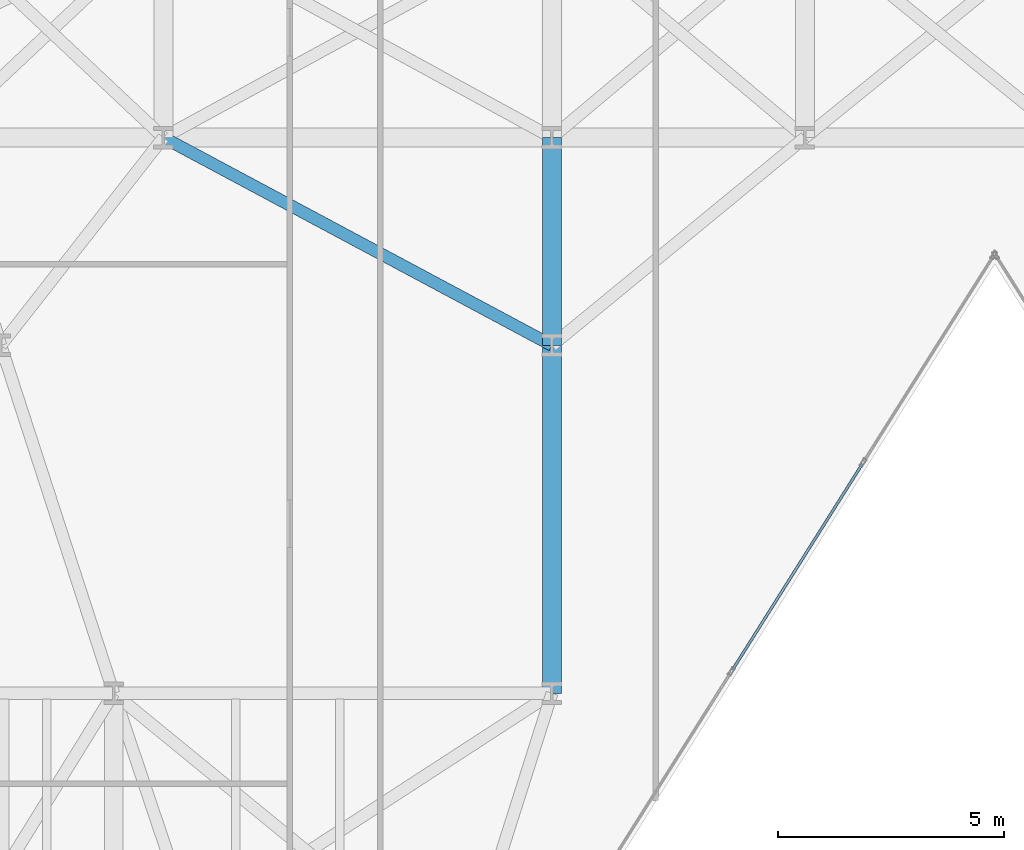
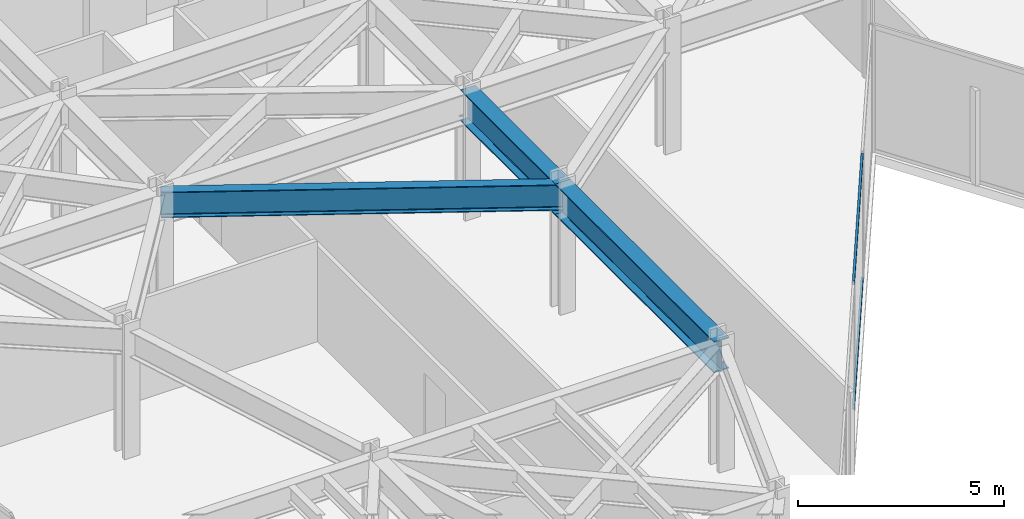
# One storey, part 9 of 25: 3 beams, 2 members, 1 element without a shape of its own.
"""IFC4 building model written with IfcOpenShell, lengths in metres."""

from ifc_helpers import new_model, si_unit, direction, frame, origin, origin_2d, place, context, subcontext, project, spatial, hollow_rectangle, i_section, extrude, material, layer, layer_set, material_profile, profile_set, type_object, element, aggregate, save


model = new_model("IFC4")

# Units and contexts
model_context = context("Model", 3, precision=1e-05, world=origin(), true_north=direction((0.0, 1.0)))
body_context = subcontext(model_context, "Body", "Model", "MODEL_VIEW")
ifc_project = project(units=[si_unit("LENGTHUNIT", "METRE"), si_unit("AREAUNIT", "SQUARE_METRE"), si_unit("VOLUMEUNIT", "CUBIC_METRE"), si_unit("PLANEANGLEUNIT", "RADIAN"), si_unit("MASSUNIT", "GRAM", prefix="KILO")], contexts=[model_context])

# Site, building, storey
site_placement = place(None, origin())
site = spatial("IfcSite", under=ifc_project, at=site_placement, CompositionType="ELEMENT")
building_placement = place(site_placement, origin())
building = spatial("IfcBuilding", under=site, at=building_placement, Name="Kravanh Interchange Tower", CompositionType="ELEMENT")
storey_placement = place(building_placement, frame((0.0, 0.0, 73.5)))
storey = spatial("IfcBuildingStorey", under=building, at=storey_placement, Name="L17", CompositionType="ELEMENT", Elevation=73.5)

# Curtain wall, members
ifc_material_1 = material(Name="Anodised Bronze Aluminium", Category="aluminium")
ifc_layer = layer(ifc_material_1, 0.179931640625)
ifc_layer_set = layer_set([ifc_layer], Name="Unitised Curtain Wall System CW-Z1 Lower Office")
curtain_wall_type = type_object("IfcCurtainWallType", Name="Unitised Curtain Wall System CW-Z1 Lower Office", PredefinedType="NOTDEFINED", material=ifc_layer_set)
curtain_wall_placement = place(storey_placement, origin())
curtain_wall = element("IfcCurtainWall", 1, at=curtain_wall_placement, inside=storey, type_object=curtain_wall_type, Name="L17 Unitised Curtain Wall CW-L17-05", PredefinedType="NOTDEFINED")
ifc_material_2 = material(Name="Anodised Bronze Aluminium", Category="aluminium")
ifc_material_profile_1 = material_profile(ifc_material_2, hollow_rectangle(XDim=0.06005859375, YDim=0.139892578125, WallThickness=0.00390625, at=origin_2d()), Name="ALU60X140X4")
ifc_profile_set_1 = profile_set([ifc_material_profile_1], Name="Anodised Bronze Aluminium")
member_type = type_object("IfcMemberType", Name="Curtain Wall Transom ALU60X140X4 Bronze", PredefinedType="USERDEFINED", material=ifc_profile_set_1)
member_1_placement = place(storey_placement, frame((34.068115234375, 19.574462890625, 0.030029296875), z_axis=(-0.533311487456, -0.84591894254, 0.0), x_axis=(0.84591894254, -0.533311487456, 0.0)))
member_1 = element("IfcMember", 2, at=member_1_placement, type_object=member_type, Name="CW-Z1 transom 2.1", ObjectType="TRANSOM", PredefinedType="USERDEFINED", context=body_context, shape_type="SweptSolid", body=[
    extrude(hollow_rectangle(XDim=0.06005859375, YDim=0.139892578125, WallThickness=0.00390625, at=origin_2d()), origin(), (0.0, 0.0, 1.0), 5.392578125),
])
member_2_placement = place(storey_placement, frame((34.068115234375, 19.574462890625, 3.7099609375), z_axis=(-0.533311487456, -0.84591894254, 0.0), x_axis=(0.84591894254, -0.533311487456, 0.0)))
member_2 = element("IfcMember", 3, at=member_2_placement, type_object=member_type, Name="CW-Z1 transom 2.2", ObjectType="TRANSOM", PredefinedType="USERDEFINED", context=body_context, shape_type="SweptSolid", body=[
    extrude(hollow_rectangle(XDim=0.06005859375, YDim=0.139892578125, WallThickness=0.00390625, at=origin_2d()), origin(), (0.0, 0.0, 1.0), 5.392578125),
])
aggregate(curtain_wall, [member_1, member_2])

# Beams
ifc_material_3 = material(Name="Structural Steel S355", Category="steel")
ifc_material_profile_2 = material_profile(ifc_material_3, i_section(OverallWidth=0.41796875, OverallDepth=0.927001953125, WebThickness=0.019287109375, FlangeThickness=0.031982421875, FilletRadius=0.028076171875, at=origin_2d()), Name="W36X231")
ifc_profile_set_2 = profile_set([ifc_material_profile_2], Name="Structural Steel S355")
beam_type_1 = type_object("IfcBeamType", Name="Floor Beam W36X231 Structural Steel S355", PredefinedType="BEAM", material=ifc_profile_set_2)
beam_1_placement = place(storey_placement, frame((27.199951171875, 22.199951171875, 3.276611328125), z_axis=(0.0, 1.0, 0.0), x_axis=(-1.0, 0.0, 0.0)))
element("IfcBeam", 4, at=beam_1_placement, inside=storey, type_object=beam_type_1, Name="L17 Primary Floor Girder 54", PredefinedType="BEAM", context=body_context, shape_type="SweptSolid", body=[
    extrude(i_section(OverallWidth=0.41796875, OverallDepth=0.927001953125, WebThickness=0.019287109375, FlangeThickness=0.031982421875, FilletRadius=0.028076171875, at=origin_2d()), origin(), (0.0, 0.0, 1.0), 4.60009765625),
])
beam_2_placement = place(storey_placement, frame((27.199951171875, 22.199951171875, 3.276611328125), z_axis=(0.0, -1.0, 0.0), x_axis=(1.0, 0.0, 0.0)))
element("IfcBeam", 5, at=beam_2_placement, inside=storey, type_object=beam_type_1, Name="L17 Primary Floor Girder 56", PredefinedType="BEAM", context=body_context, shape_type="SweptSolid", body=[
    extrude(i_section(OverallWidth=0.41796875, OverallDepth=0.927001953125, WebThickness=0.019287109375, FlangeThickness=0.031982421875, FilletRadius=0.028076171875, at=origin_2d()), origin(), (0.0, 0.0, 1.0), 7.699951171875),
])
ifc_material_4 = material(Name="Structural Steel S355", Category="steel")
ifc_material_profile_3 = material_profile(ifc_material_4, i_section(OverallWidth=0.26708984375, OverallDepth=0.761962890625, WebThickness=0.014404296875, FlangeThickness=0.021484375, FilletRadius=0.02490234375, at=origin_2d()), Name="W30X116")
ifc_profile_set_3 = profile_set([ifc_material_profile_3], Name="Structural Steel S355")
beam_type_2 = type_object("IfcBeamType", Name="Floor Spandrel W30X116 Structural Steel S355", PredefinedType="SPANDREL", material=ifc_profile_set_3)
beam_3_placement = place(storey_placement, frame((27.199951171875, 22.199951171875, 3.35888671875), z_axis=(-0.881777136221, 0.471666282489, 0.0), x_axis=(-0.471666282489, -0.881777136221, 0.0)))
element("IfcBeam", 6, at=beam_3_placement, inside=storey, type_object=beam_type_2, Name="L17 Perimeter Spandrel 57", PredefinedType="SPANDREL", context=body_context, shape_type="SweptSolid", body=[
    extrude(i_section(OverallWidth=0.26708984375, OverallDepth=0.761962890625, WebThickness=0.014404296875, FlangeThickness=0.021484375, FilletRadius=0.02490234375, at=origin_2d()), origin(), (0.0, 0.0, 1.0), 9.7529296875),
])

save(model, "model.ifc")
